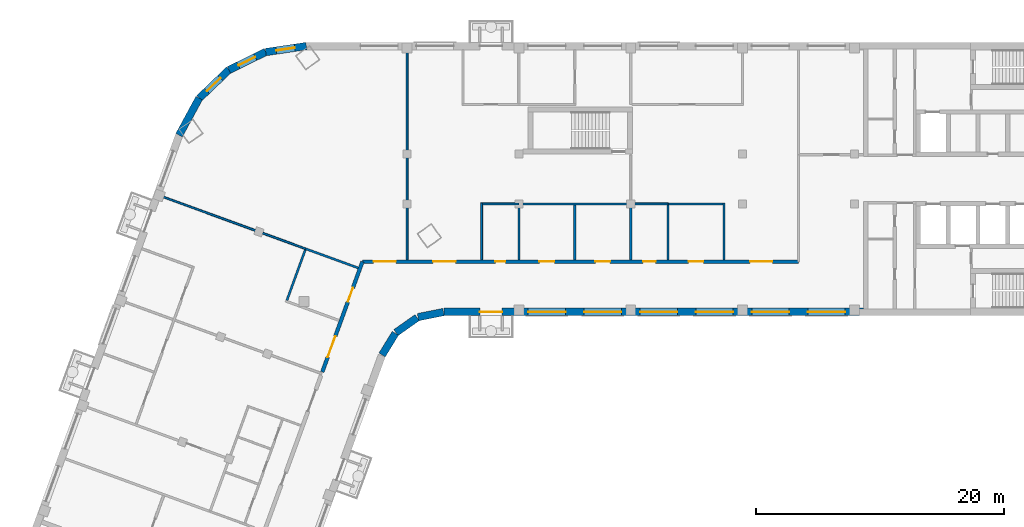
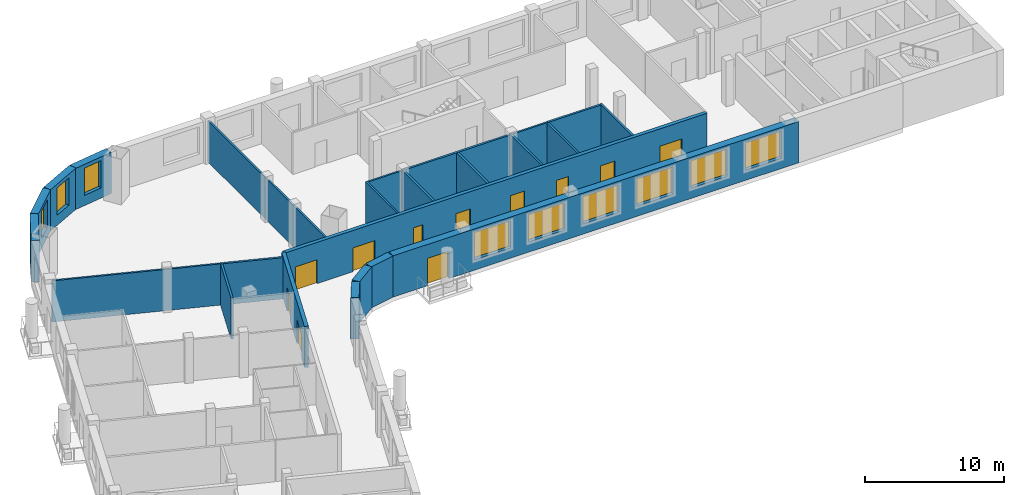
# One storey, part 4 of 10: 24 walls, 11 doors, 9 windows, 20 openings.
"""IFC4 building model written with IfcOpenShell, lengths in metres."""

from ifc_helpers import new_model, si_unit, direction, frame, frame_2d, origin, place, context, subcontext, project, spatial, rectangle, extrude, material, layer, layer_set, type_object, element, fill, save


model = new_model("IFC4")

# Units and contexts
model_context = context("Model", 3, precision=1e-05, world=origin(), true_north=direction((0.0, 1.0)))
body_context = subcontext(model_context, "Body", "Model", "MODEL_VIEW")
ifc_project = project(units=[si_unit("LENGTHUNIT", "METRE"), si_unit("AREAUNIT", "SQUARE_METRE"), si_unit("VOLUMEUNIT", "CUBIC_METRE"), si_unit("PLANEANGLEUNIT", "RADIAN"), si_unit("MASSUNIT", "GRAM", prefix="KILO")], contexts=[model_context])

# Site, building, storey
site_placement = place(None, origin())
site = spatial("IfcSite", under=ifc_project, at=site_placement, CompositionType="ELEMENT")
building_placement = place(site_placement, origin())
building = spatial("IfcBuilding", under=site, at=building_placement, Name="Skarvind Civic Tower", CompositionType="ELEMENT")
storey_placement = place(building_placement, frame((0.0, 0.0, 178.5)))
storey = spatial("IfcBuildingStorey", under=building, at=storey_placement, Name="L42", CompositionType="ELEMENT", Elevation=178.5)

# Walls
ifc_material_1 = material(Name="Acoustic gypsum board on steel studs", Category="steel")
ifc_layer_1 = layer(ifc_material_1, 0.175048828125)
ifc_layer_set_1 = layer_set([ifc_layer_1], Name="ACOUSTIC MEETING-ROOM PARTITION 175")
wall_type_1 = type_object("IfcWallType", Name="ACOUSTIC MEETING-ROOM PARTITION 175", PredefinedType="PARTITIONING", material=ifc_layer_set_1)
wall_1_placement = place(storey_placement, frame((46.053955078125, 122.301025390625, 0.0), z_axis=(0.0, 0.0, 1.0), x_axis=(-0.341915262023, -0.93973078783, 0.0)))
element("IfcWall", 1, at=wall_1_placement, inside=storey, type_object=wall_type_1, Name="Partition 42.023", PredefinedType="PARTITIONING", context=body_context, shape_type="SweptSolid", body=[
    extrude(rectangle(XDim=4.32568359375, YDim=0.175048828125, at=frame_2d((2.162841796875, 0.0))), origin(), (0.0, 0.0, 1.0), 3.625),
])
wall_2_placement = place(storey_placement, frame((50.31201171875, 120.843017578125, 0.0), z_axis=(0.0, 0.0, 1.0), x_axis=(-0.939609529273, 0.342248349154, 0.0)))
element("IfcWall", 2, at=wall_2_placement, inside=storey, type_object=wall_type_1, Name="Partition 42.025", PredefinedType="PARTITIONING", context=body_context, shape_type="SweptSolid", body=[
    extrude(rectangle(XDim=4.499755859375, YDim=0.175048828125, at=frame_2d((2.25, 0.0))), origin(), (0.0, 0.0, 1.0), 3.625),
])
wall_3_placement = place(storey_placement, frame((63.25, 121.5, 0.0), z_axis=(0.0, 0.0, 1.0), x_axis=(0.0, 1.0, 0.0)))
element("IfcWall", 3, at=wall_3_placement, inside=storey, type_object=wall_type_1, Name="Partition 42.031", PredefinedType="PARTITIONING", context=body_context, shape_type="SweptSolid", body=[
    extrude(rectangle(XDim=4.412109375, YDim=0.175048828125, at=frame_2d((2.2060546875, 0.0))), origin(), (0.0, 0.0, 1.0), 3.625),
])
wall_4_placement = place(storey_placement, frame((63.25, 126.0, 0.0), z_axis=(0.0, 0.0, 1.0), x_axis=(1.0, 0.0, 0.0)))
element("IfcWall", 4, at=wall_4_placement, inside=storey, type_object=wall_type_1, Name="Partition 42.033", PredefinedType="PARTITIONING", context=body_context, shape_type="SweptSolid", body=[
    extrude(rectangle(XDim=9.0, YDim=0.175048828125, at=frame_2d((4.5, 0.0))), origin(), (0.0, 0.0, 1.0), 3.625),
])
wall_5_placement = place(storey_placement, frame((67.75, 121.5, 0.0), z_axis=(0.0, 0.0, 1.0), x_axis=(0.0, 1.0, 0.0)))
element("IfcWall", 5, at=wall_5_placement, inside=storey, type_object=wall_type_1, Name="Partition 42.035", PredefinedType="PARTITIONING", context=body_context, shape_type="SweptSolid", body=[
    extrude(rectangle(XDim=4.412109375, YDim=0.175048828125, at=frame_2d((2.2060546875, 0.0))), origin(), (0.0, 0.0, 1.0), 3.625),
])
wall_6_placement = place(storey_placement, frame((72.25, 121.5, 0.0), z_axis=(0.0, 0.0, 1.0), x_axis=(0.0, 1.0, 0.0)))
element("IfcWall", 6, at=wall_6_placement, inside=storey, type_object=wall_type_1, Name="Partition 42.037", PredefinedType="PARTITIONING", context=body_context, shape_type="SweptSolid", body=[
    extrude(rectangle(XDim=4.5, YDim=0.175048828125, at=frame_2d((2.25, 0.0))), origin(), (0.0, 0.0, 1.0), 3.625),
])
wall_7_placement = place(storey_placement, frame((75.25, 125.912109375, 0.0), z_axis=(0.0, 0.0, 1.0), x_axis=(0.0, -1.0, 0.0)))
element("IfcWall", 7, at=wall_7_placement, inside=storey, type_object=wall_type_1, Name="Partition 42.042", PredefinedType="PARTITIONING", context=body_context, shape_type="SweptSolid", body=[
    extrude(rectangle(XDim=4.412109375, YDim=0.175048828125, at=frame_2d((2.2060546875, 0.0))), origin(), (0.0, 0.0, 1.0), 3.625),
])
wall_8_placement = place(storey_placement, frame((79.75, 121.5, 0.0), z_axis=(0.0, 0.0, 1.0), x_axis=(0.0, 1.0, 0.0)))
element("IfcWall", 8, at=wall_8_placement, inside=storey, type_object=wall_type_1, Name="Partition 42.043", PredefinedType="PARTITIONING", context=body_context, shape_type="SweptSolid", body=[
    extrude(rectangle(XDim=4.587890625, YDim=0.175048828125, at=frame_2d((2.2939453125, 0.0))), origin(), (0.0, 0.0, 1.0), 3.625),
])
wall_9_placement = place(storey_placement, frame((79.662109375, 126.0, 0.0), z_axis=(0.0, 0.0, 1.0), x_axis=(-1.0, 0.0, 0.0)))
element("IfcWall", 9, at=wall_9_placement, inside=storey, type_object=wall_type_1, Name="Partition 42.044", PredefinedType="PARTITIONING", context=body_context, shape_type="SweptSolid", body=[
    extrude(rectangle(XDim=4.412109375, YDim=0.175048828125, at=frame_2d((2.2060546875, 0.0))), origin(), (0.0, 0.0, 1.0), 3.625),
])

# Wall, openings, doors
ifc_material_2 = material(Name="Fire-rated gypsum board on steel studs", Category="steel")
ifc_layer_2 = layer(ifc_material_2, 0.300048828125)
ifc_layer_set_2 = layer_set([ifc_layer_2], Name="CORRIDOR WALL 300")
wall_type_2 = type_object("IfcWallType", Name="CORRIDOR WALL 300", PredefinedType="PARTITIONING", material=ifc_layer_set_2)
wall_10_placement = place(storey_placement, frame((47.425048828125, 112.472900390625, 0.0), z_axis=(0.0, 0.0, 1.0), x_axis=(0.34204602842, 0.939683198978, 0.0)))
wall_10 = element("IfcWall", 10, at=wall_10_placement, inside=storey, type_object=wall_type_2, Name="Partition 42.024", PredefinedType="PARTITIONING", context=body_context, shape_type="SweptSolid", body=[
    extrude(rectangle(XDim=9.446044921875, YDim=0.300048828125, at=frame_2d((4.72314453125, 0.0))), origin(), (0.0, 0.0, 1.0), 3.625),
])
opening_1_placement = place(wall_10_placement, frame((6.003173828125, 0.0, 0.0)))
opening_1 = element("IfcOpeningElement", 11, at=opening_1_placement, cuts=wall_10, Name="Opening L42-D020", PredefinedType="OPENING", context=body_context, shape_type="SweptSolid", body=[
    extrude(rectangle(XDim=1.199951171875, YDim=2.10009765625, at=frame_2d((0.60009765625, 1.050048828125))), frame((0.0, 0.159912109375, 0.0), z_axis=(0.0, -1.0, 0.0), x_axis=(1.0, 0.0, 0.0)), (0.0, 0.0, 1.0), 0.320068359375),
])
opening_2_placement = place(wall_10_placement, frame((1.2666015625, 0.0, 0.0)))
opening_2 = element("IfcOpeningElement", 12, at=opening_2_placement, cuts=wall_10, Name="Opening L42-D022", PredefinedType="OPENING", context=body_context, shape_type="SweptSolid", body=[
    extrude(rectangle(XDim=1.800048828125, YDim=2.10009765625, at=frame_2d((0.89990234375, 1.050048828125))), frame((0.0, 0.159912109375, 0.0), z_axis=(0.0, -1.0, 0.0), x_axis=(1.0, 0.0, 0.0)), (0.0, 0.0, 1.0), 0.320068359375),
])
ifc_material_3 = material(Name="Fire-rated timber door leaf", Category="wood")
door_type_1 = type_object("IfcDoorType", Name="FD4 1800x2100", OperationType="NOTDEFINED", PredefinedType="DOOR", material=ifc_material_3)
door_1_placement = place(opening_2_placement, origin())
door_1 = element("IfcDoor", 13, at=door_1_placement, inside=storey, type_object=door_type_1, Name="Door L42-D022", OperationType="DOUBLE_DOOR_SINGLE_SWING", OverallHeight=2.10009765625, OverallWidth=1.800048828125, PredefinedType="DOOR", context=body_context, shape_type="SweptSolid", body=[
    extrude(rectangle(XDim=1.800048828125, YDim=2.10009765625, at=frame_2d((0.89990234375, 1.050048828125))), frame((0.0, 0.02490234375, 0.0), z_axis=(0.0, -1.0, 0.0), x_axis=(1.0, 0.0, 0.0)), (0.0, 0.0, 1.0), 0.050048828125),
])
fill(opening_2, door_1)
door_type_2 = type_object("IfcDoorType", Name="FD6 1200x2100 DOUBLE", OperationType="NOTDEFINED", PredefinedType="DOOR", material=ifc_material_3)
door_2_placement = place(opening_1_placement, origin())
door_2 = element("IfcDoor", 14, at=door_2_placement, inside=storey, type_object=door_type_2, Name="Door L42-D020", OperationType="DOUBLE_DOOR_SINGLE_SWING", OverallHeight=2.10009765625, OverallWidth=1.199951171875, PredefinedType="DOOR", context=body_context, shape_type="SweptSolid", body=[
    extrude(rectangle(XDim=1.199951171875, YDim=2.10009765625, at=frame_2d((0.60009765625, 1.050048828125))), frame((0.0, 0.02490234375, 0.0), z_axis=(0.0, -1.0, 0.0), x_axis=(1.0, 0.0, 0.0)), (0.0, 0.0, 1.0), 0.050048828125),
])
fill(opening_1, door_2)

wall_11_placement = place(storey_placement, frame((50.656982421875, 121.35009765625, 0.0), z_axis=(0.0, 0.0, 1.0), x_axis=(1.0, 0.0, 0.0)))
wall_11 = element("IfcWall", 15, at=wall_11_placement, inside=storey, type_object=wall_type_2, Name="Partition 42.026", PredefinedType="PARTITIONING", context=body_context, shape_type="SweptSolid", body=[
    extrude(rectangle(XDim=35.095947265625, YDim=0.300048828125, at=frame_2d((17.5478515625, 0.0))), origin(), (0.0, 0.0, 1.0), 3.625),
])
opening_3_placement = place(wall_11_placement, frame((26.242919921875, 0.0, 0.0)))
opening_3 = element("IfcOpeningElement", 16, at=opening_3_placement, cuts=wall_11, Name="Opening L42-D002", PredefinedType="OPENING", context=body_context, shape_type="SweptSolid", body=[
    extrude(rectangle(XDim=1.199951171875, YDim=2.10009765625, at=frame_2d((0.60009765625, 1.050048828125))), frame((0.0, 0.159912109375, 0.0), z_axis=(0.0, -1.0, 0.0), x_axis=(1.0, 0.0, 0.0)), (0.0, 0.0, 1.0), 0.320068359375),
])
opening_4_placement = place(wall_11_placement, frame((22.593017578125, 0.0, 0.0)))
opening_4 = element("IfcOpeningElement", 17, at=opening_4_placement, cuts=wall_11, Name="Opening L42-D003", PredefinedType="OPENING", context=body_context, shape_type="SweptSolid", body=[
    extrude(rectangle(XDim=1.0, YDim=2.10009765625, at=frame_2d((0.5, 1.050048828125))), frame((0.0, 0.159912109375, 0.0), z_axis=(0.0, -1.0, 0.0), x_axis=(1.0, 0.0, 0.0)), (0.0, 0.0, 1.0), 0.320068359375),
])
opening_5_placement = place(wall_11_placement, frame((31.193115234375, 0.0, 0.0)))
opening_5 = element("IfcOpeningElement", 18, at=opening_5_placement, cuts=wall_11, Name="Opening L42-D005", PredefinedType="OPENING", context=body_context, shape_type="SweptSolid", body=[
    extrude(rectangle(XDim=1.800048828125, YDim=2.10009765625, at=frame_2d((0.89990234375, 1.050048828125))), frame((0.0, 0.159912109375, 0.0), z_axis=(0.0, -1.0, 0.0), x_axis=(1.0, 0.0, 0.0)), (0.0, 0.0, 1.0), 0.320068359375),
])
opening_6_placement = place(wall_11_placement, frame((18.742919921875, 0.0, 0.0)))
opening_6 = element("IfcOpeningElement", 19, at=opening_6_placement, cuts=wall_11, Name="Opening L42-D006", PredefinedType="OPENING", context=body_context, shape_type="SweptSolid", body=[
    extrude(rectangle(XDim=1.199951171875, YDim=2.10009765625, at=frame_2d((0.60009765625, 1.050048828125))), frame((0.0, 0.159912109375, 0.0), z_axis=(0.0, -1.0, 0.0), x_axis=(1.0, 0.0, 0.0)), (0.0, 0.0, 1.0), 0.320068359375),
])
opening_7_placement = place(wall_11_placement, frame((14.242919921875, 0.0, 0.0)))
opening_7 = element("IfcOpeningElement", 20, at=opening_7_placement, cuts=wall_11, Name="Opening L42-D007", PredefinedType="OPENING", context=body_context, shape_type="SweptSolid", body=[
    extrude(rectangle(XDim=1.199951171875, YDim=2.10009765625, at=frame_2d((0.60009765625, 1.050048828125))), frame((0.0, 0.159912109375, 0.0), z_axis=(0.0, -1.0, 0.0), x_axis=(1.0, 0.0, 0.0)), (0.0, 0.0, 1.0), 0.320068359375),
])
opening_8_placement = place(wall_11_placement, frame((10.693115234375, 0.0, 0.0)))
opening_8 = element("IfcOpeningElement", 21, at=opening_8_placement, cuts=wall_11, Name="Opening L42-D008", PredefinedType="OPENING", context=body_context, shape_type="SweptSolid", body=[
    extrude(rectangle(XDim=0.800048828125, YDim=2.10009765625, at=frame_2d((0.39990234375, 1.050048828125))), frame((0.0, 0.159912109375, 0.0), z_axis=(0.0, -1.0, 0.0), x_axis=(1.0, 0.0, 0.0)), (0.0, 0.0, 1.0), 0.320068359375),
])
opening_9_placement = place(wall_11_placement, frame((5.693115234375, 0.0, 0.0)))
opening_9 = element("IfcOpeningElement", 22, at=opening_9_placement, cuts=wall_11, Name="Opening L42-D011", PredefinedType="OPENING", context=body_context, shape_type="SweptSolid", body=[
    extrude(rectangle(XDim=1.800048828125, YDim=2.10009765625, at=frame_2d((0.89990234375, 1.050048828125))), frame((0.0, 0.159912109375, 0.0), z_axis=(0.0, -1.0, 0.0), x_axis=(1.0, 0.0, 0.0)), (0.0, 0.0, 1.0), 0.320068359375),
])
opening_10_placement = place(wall_11_placement, frame((0.89599609375, 0.0, 0.0)))
opening_10 = element("IfcOpeningElement", 23, at=opening_10_placement, cuts=wall_11, Name="Opening L42-D023", PredefinedType="OPENING", context=body_context, shape_type="SweptSolid", body=[
    extrude(rectangle(XDim=1.800048828125, YDim=2.10009765625, at=frame_2d((0.89990234375, 1.050048828125))), frame((0.0, 0.159912109375, 0.0), z_axis=(0.0, -1.0, 0.0), x_axis=(1.0, 0.0, 0.0)), (0.0, 0.0, 1.0), 0.320068359375),
])
door_type_3 = type_object("IfcDoorType", Name="FD1 1000x2100", OperationType="NOTDEFINED", PredefinedType="DOOR", material=ifc_material_3)
door_3_placement = place(opening_4_placement, origin())
door_3 = element("IfcDoor", 24, at=door_3_placement, inside=storey, type_object=door_type_3, Name="Door L42-D003", OperationType="SINGLE_SWING_LEFT", OverallHeight=2.10009765625, OverallWidth=1.0, PredefinedType="DOOR", context=body_context, shape_type="SweptSolid", body=[
    extrude(rectangle(XDim=1.0, YDim=2.10009765625, at=frame_2d((0.5, 1.050048828125))), frame((0.0, 0.02490234375, 0.0), z_axis=(0.0, -1.0, 0.0), x_axis=(1.0, 0.0, 0.0)), (0.0, 0.0, 1.0), 0.050048828125),
])
fill(opening_4, door_3)
door_4_placement = place(opening_5_placement, origin())
door_4 = element("IfcDoor", 25, at=door_4_placement, inside=storey, type_object=door_type_1, Name="Door L42-D005", OperationType="DOUBLE_DOOR_SINGLE_SWING", OverallHeight=2.10009765625, OverallWidth=1.800048828125, PredefinedType="DOOR", context=body_context, shape_type="SweptSolid", body=[
    extrude(rectangle(XDim=1.800048828125, YDim=2.10009765625, at=frame_2d((0.89990234375, 1.050048828125))), frame((0.0, 0.02490234375, 0.0), z_axis=(0.0, -1.0, 0.0), x_axis=(1.0, 0.0, 0.0)), (0.0, 0.0, 1.0), 0.050048828125),
])
fill(opening_5, door_4)
door_5_placement = place(opening_9_placement, origin())
door_5 = element("IfcDoor", 26, at=door_5_placement, inside=storey, type_object=door_type_1, Name="Door L42-D011", OperationType="DOUBLE_DOOR_SINGLE_SWING", OverallHeight=2.10009765625, OverallWidth=1.800048828125, PredefinedType="DOOR", context=body_context, shape_type="SweptSolid", body=[
    extrude(rectangle(XDim=1.800048828125, YDim=2.10009765625, at=frame_2d((0.89990234375, 1.050048828125))), frame((0.0, 0.02490234375, 0.0), z_axis=(0.0, -1.0, 0.0), x_axis=(1.0, 0.0, 0.0)), (0.0, 0.0, 1.0), 0.050048828125),
])
fill(opening_9, door_5)
door_6_placement = place(opening_10_placement, origin())
door_6 = element("IfcDoor", 27, at=door_6_placement, inside=storey, type_object=door_type_1, Name="Door L42-D023", OperationType="DOUBLE_DOOR_SINGLE_SWING", OverallHeight=2.10009765625, OverallWidth=1.800048828125, PredefinedType="DOOR", context=body_context, shape_type="SweptSolid", body=[
    extrude(rectangle(XDim=1.800048828125, YDim=2.10009765625, at=frame_2d((0.89990234375, 1.050048828125))), frame((0.0, 0.02490234375, 0.0), z_axis=(0.0, -1.0, 0.0), x_axis=(1.0, 0.0, 0.0)), (0.0, 0.0, 1.0), 0.050048828125),
])
fill(opening_10, door_6)
door_type_4 = type_object("IfcDoorType", Name="FD5 800x2100", OperationType="NOTDEFINED", PredefinedType="DOOR", material=ifc_material_3)
door_7_placement = place(opening_8_placement, origin())
door_7 = element("IfcDoor", 28, at=door_7_placement, inside=storey, type_object=door_type_4, Name="Door L42-D008", OperationType="SINGLE_SWING_LEFT", OverallHeight=2.10009765625, OverallWidth=0.800048828125, PredefinedType="DOOR", context=body_context, shape_type="SweptSolid", body=[
    extrude(rectangle(XDim=0.800048828125, YDim=2.10009765625, at=frame_2d((0.39990234375, 1.050048828125))), frame((0.0, 0.02490234375, 0.0), z_axis=(0.0, -1.0, 0.0), x_axis=(1.0, 0.0, 0.0)), (0.0, 0.0, 1.0), 0.050048828125),
])
fill(opening_8, door_7)
door_8_placement = place(opening_3_placement, origin())
door_8 = element("IfcDoor", 29, at=door_8_placement, inside=storey, type_object=door_type_2, Name="Door L42-D002", OperationType="DOUBLE_DOOR_SINGLE_SWING", OverallHeight=2.10009765625, OverallWidth=1.199951171875, PredefinedType="DOOR", context=body_context, shape_type="SweptSolid", body=[
    extrude(rectangle(XDim=1.199951171875, YDim=2.10009765625, at=frame_2d((0.60009765625, 1.050048828125))), frame((0.0, 0.02490234375, 0.0), z_axis=(0.0, -1.0, 0.0), x_axis=(1.0, 0.0, 0.0)), (0.0, 0.0, 1.0), 0.050048828125),
])
fill(opening_3, door_8)
door_9_placement = place(opening_6_placement, origin())
door_9 = element("IfcDoor", 30, at=door_9_placement, inside=storey, type_object=door_type_2, Name="Door L42-D006", OperationType="DOUBLE_DOOR_SINGLE_SWING", OverallHeight=2.10009765625, OverallWidth=1.199951171875, PredefinedType="DOOR", context=body_context, shape_type="SweptSolid", body=[
    extrude(rectangle(XDim=1.199951171875, YDim=2.10009765625, at=frame_2d((0.60009765625, 1.050048828125))), frame((0.0, 0.02490234375, 0.0), z_axis=(0.0, -1.0, 0.0), x_axis=(1.0, 0.0, 0.0)), (0.0, 0.0, 1.0), 0.050048828125),
])
fill(opening_6, door_9)
door_10_placement = place(opening_7_placement, origin())
door_10 = element("IfcDoor", 31, at=door_10_placement, inside=storey, type_object=door_type_2, Name="Door L42-D007", OperationType="DOUBLE_DOOR_SINGLE_SWING", OverallHeight=2.10009765625, OverallWidth=1.199951171875, PredefinedType="DOOR", context=body_context, shape_type="SweptSolid", body=[
    extrude(rectangle(XDim=1.199951171875, YDim=2.10009765625, at=frame_2d((0.60009765625, 1.050048828125))), frame((0.0, 0.02490234375, 0.0), z_axis=(0.0, -1.0, 0.0), x_axis=(1.0, 0.0, 0.0)), (0.0, 0.0, 1.0), 0.050048828125),
])
fill(opening_7, door_10)

# Walls
ifc_material_4 = material(Name="Plasterboard partition on steel studs", Category="steel")
ifc_layer_3 = layer(ifc_material_4, 0.14990234375)
ifc_layer_set_3 = layer_set([ifc_layer_3], Name="PARTITION 150")
wall_type_3 = type_object("IfcWallType", Name="PARTITION 150", PredefinedType="PARTITIONING", material=ifc_layer_set_3)
wall_12_placement = place(storey_placement, frame((46.083984375, 122.383056640625, 0.0), z_axis=(0.0, 0.0, 1.0), x_axis=(-0.939703144457, 0.341991228392, 0.0)))
element("IfcWall", 32, at=wall_12_placement, inside=storey, type_object=wall_type_3, Name="Partition 42.022", PredefinedType="PARTITIONING", context=body_context, shape_type="SweptSolid", body=[
    extrude(rectangle(XDim=12.40087890625, YDim=0.14990234375, at=frame_2d((6.200439453125, 0.0))), origin(), (0.0, 0.0, 1.0), 3.625),
])
wall_13_placement = place(storey_placement, frame((54.25, 138.39990234375, 0.0), z_axis=(0.0, 0.0, 1.0), x_axis=(0.0, -1.0, 0.0)))
element("IfcWall", 33, at=wall_13_placement, inside=storey, type_object=wall_type_3, Name="Partition 42.027", PredefinedType="PARTITIONING", context=body_context, shape_type="SweptSolid", body=[
    extrude(rectangle(XDim=16.89990234375, YDim=0.14990234375, at=frame_2d((8.449951171875, 0.0))), origin(), (0.0, 0.0, 1.0), 3.625),
])
wall_14_placement = place(storey_placement, frame((60.25, 126.074951171875, 0.0), z_axis=(0.0, 0.0, 1.0), x_axis=(0.0, -1.0, 0.0)))
element("IfcWall", 34, at=wall_14_placement, inside=storey, type_object=wall_type_3, Name="Partition 42.030", PredefinedType="PARTITIONING", context=body_context, shape_type="SweptSolid", body=[
    extrude(rectangle(XDim=4.574951171875, YDim=0.14990234375, at=frame_2d((2.28759765625, 0.0))), origin(), (0.0, 0.0, 1.0), 3.625),
])
wall_15_placement = place(storey_placement, frame((63.25, 126.0, 0.0), z_axis=(0.0, 0.0, 1.0), x_axis=(-1.0, 0.0, 0.0)))
element("IfcWall", 35, at=wall_15_placement, inside=storey, type_object=wall_type_3, Name="Partition 42.032", PredefinedType="PARTITIONING", context=body_context, shape_type="SweptSolid", body=[
    extrude(rectangle(XDim=2.925048828125, YDim=0.14990234375, at=frame_2d((1.46240234375, 0.0))), origin(), (0.0, 0.0, 1.0), 3.625),
])
wall_16_placement = place(storey_placement, frame((75.25, 126.0, 0.0), z_axis=(0.0, 0.0, 1.0), x_axis=(-1.0, 0.0, 0.0)))
element("IfcWall", 36, at=wall_16_placement, inside=storey, type_object=wall_type_3, Name="Partition 42.041", PredefinedType="PARTITIONING", context=body_context, shape_type="SweptSolid", body=[
    extrude(rectangle(XDim=3.0, YDim=0.14990234375, at=frame_2d((1.5, 0.0))), origin(), (0.0, 0.0, 1.0), 3.625),
])
ifc_material_5 = material(Name="Limestone masonry cladding on insulated backing", Category="masonry")
ifc_layer_4 = layer(ifc_material_5, 0.60009765625)
ifc_layer_set_4 = layer_set([ifc_layer_4], Name="WX1 STONE FACADE WALL 600")
wall_type_4 = type_object("IfcWallType", Name="WX1 STONE FACADE WALL 600", PredefinedType="SOLIDWALL", material=ifc_layer_set_4)
wall_17_placement = place(storey_placement, frame((53.30517578125, 115.578369140625, 0.0), z_axis=(0.0, 0.0, 1.0), x_axis=(-0.522402266438, -0.852699168535, 0.0)))
element("IfcWall", 37, at=wall_17_placement, inside=storey, type_object=wall_type_4, Name="STONE FACADE WALL", PredefinedType="SOLIDWALL", context=body_context, shape_type="SweptSolid", body=[
    extrude(rectangle(XDim=2.042236328125, YDim=0.60009765625, at=frame_2d((1.02099609375, 0.0))), origin(), (0.0, 0.0, 1.0), 3.625),
])
for number, where, z_axis, x_axis, name in (
    (38, (55.061767578125, 116.8388671875, 0.0), (0.0, 0.0, 1.0), (-0.819122269495, -0.573618956815, 0.0), "STONE FACADE WALL"),
    (39, (57.17529296875, 117.2939453125, 0.0), (0.0, 0.0, 1.0), (-0.97996099083, -0.19918949885, 0.0), "STONE FACADE WALL"),
):
    element("IfcWall", number, at=place(storey_placement, frame(where, z_axis=z_axis, x_axis=x_axis)), inside=storey, type_object=wall_type_4, Name=name, PredefinedType="SOLIDWALL", context=body_context, shape_type="SweptSolid", body=[
        extrude(rectangle(XDim=2.09228515625, YDim=0.60009765625, at=frame_2d((1.046142578125, 0.0))), origin(), (0.0, 0.0, 1.0), 3.625),
    ])

# Wall, openings, door, windows
wall_18_placement = place(storey_placement, frame((90.97998046875, 117.300048828125, 0.0), z_axis=(0.0, 0.0, 1.0), x_axis=(-1.0, 0.0, 0.0)))
wall_18 = element("IfcWall", 40, at=wall_18_placement, inside=storey, type_object=wall_type_4, Name="STONE FACADE WALL", PredefinedType="SOLIDWALL", context=body_context, shape_type="SweptSolid", body=[
    extrude(rectangle(XDim=33.744873046875, YDim=0.60009765625, at=frame_2d((16.87255859375, 0.0))), origin(), (0.0, 0.0, 1.0), 3.625),
])
opening_11_placement = place(wall_18_placement, frame((1.47998046875, 0.0, 0.89990234375)))
opening_11 = element("IfcOpeningElement", 41, at=opening_11_placement, cuts=wall_18, Name="Opening WN1", PredefinedType="OPENING", context=body_context, shape_type="SweptSolid", body=[
    extrude(rectangle(XDim=3.0, YDim=2.39990234375, at=frame_2d((1.5, 1.199951171875))), frame((0.0, 0.31005859375, 0.0), z_axis=(0.0, -1.0, 0.0), x_axis=(1.0, 0.0, 0.0)), (0.0, 0.0, 1.0), 0.6201171875),
])
opening_12_placement = place(wall_18_placement, frame((5.97998046875, 0.0, 0.89990234375)))
opening_12 = element("IfcOpeningElement", 42, at=opening_12_placement, cuts=wall_18, Name="Opening WN1", PredefinedType="OPENING", context=body_context, shape_type="SweptSolid", body=[
    extrude(rectangle(XDim=3.0, YDim=2.39990234375, at=frame_2d((1.5, 1.199951171875))), frame((0.0, 0.31005859375, 0.0), z_axis=(0.0, -1.0, 0.0), x_axis=(1.0, 0.0, 0.0)), (0.0, 0.0, 1.0), 0.6201171875),
])
opening_13_placement = place(wall_18_placement, frame((10.47998046875, 0.0, 0.89990234375)))
opening_13 = element("IfcOpeningElement", 43, at=opening_13_placement, cuts=wall_18, Name="Opening WN1", PredefinedType="OPENING", context=body_context, shape_type="SweptSolid", body=[
    extrude(rectangle(XDim=3.0, YDim=2.39990234375, at=frame_2d((1.5, 1.199951171875))), frame((0.0, 0.31005859375, 0.0), z_axis=(0.0, -1.0, 0.0), x_axis=(1.0, 0.0, 0.0)), (0.0, 0.0, 1.0), 0.6201171875),
])
opening_14_placement = place(wall_18_placement, frame((14.97998046875, 0.0, 0.89990234375)))
opening_14 = element("IfcOpeningElement", 44, at=opening_14_placement, cuts=wall_18, Name="Opening WN1", PredefinedType="OPENING", context=body_context, shape_type="SweptSolid", body=[
    extrude(rectangle(XDim=3.0, YDim=2.39990234375, at=frame_2d((1.5, 1.199951171875))), frame((0.0, 0.31005859375, 0.0), z_axis=(0.0, -1.0, 0.0), x_axis=(1.0, 0.0, 0.0)), (0.0, 0.0, 1.0), 0.6201171875),
])
opening_15_placement = place(wall_18_placement, frame((19.47998046875, 0.0, 0.89990234375)))
opening_15 = element("IfcOpeningElement", 45, at=opening_15_placement, cuts=wall_18, Name="Opening WN1", PredefinedType="OPENING", context=body_context, shape_type="SweptSolid", body=[
    extrude(rectangle(XDim=3.0, YDim=2.39990234375, at=frame_2d((1.5, 1.199951171875))), frame((0.0, 0.31005859375, 0.0), z_axis=(0.0, -1.0, 0.0), x_axis=(1.0, 0.0, 0.0)), (0.0, 0.0, 1.0), 0.6201171875),
])
opening_16_placement = place(wall_18_placement, frame((23.97998046875, 0.0, 0.89990234375)))
opening_16 = element("IfcOpeningElement", 46, at=opening_16_placement, cuts=wall_18, Name="Opening WN1", PredefinedType="OPENING", context=body_context, shape_type="SweptSolid", body=[
    extrude(rectangle(XDim=3.0, YDim=2.39990234375, at=frame_2d((1.5, 1.199951171875))), frame((0.0, 0.31005859375, 0.0), z_axis=(0.0, -1.0, 0.0), x_axis=(1.0, 0.0, 0.0)), (0.0, 0.0, 1.0), 0.6201171875),
])
opening_17_placement = place(wall_18_placement, frame((29.080078125, 0.0, 0.0)))
opening_17 = element("IfcOpeningElement", 47, at=opening_17_placement, cuts=wall_18, Name="Opening DX3", PredefinedType="OPENING", context=body_context, shape_type="SweptSolid", body=[
    extrude(rectangle(XDim=1.800048828125, YDim=2.39990234375, at=frame_2d((0.89990234375, 1.199951171875))), frame((0.0, 0.31005859375, 0.0), z_axis=(0.0, -1.0, 0.0), x_axis=(1.0, 0.0, 0.0)), (0.0, 0.0, 1.0), 0.6201171875),
])
ifc_material_6 = material(Name="Timber and glass doorset", Category="wood")
door_type_5 = type_object("IfcDoorType", Name="DX3 TERRACE DOORS 1800 x 2400", OperationType="NOTDEFINED", PredefinedType="DOOR", material=ifc_material_6)
door_11_placement = place(opening_17_placement, origin())
door_11 = element("IfcDoor", 48, at=door_11_placement, inside=storey, type_object=door_type_5, Name="TERRACE DOORS", OperationType="DOUBLE_DOOR_SINGLE_SWING", OverallHeight=2.39990234375, OverallWidth=1.800048828125, PredefinedType="DOOR", context=body_context, shape_type="SweptSolid", body=[
    extrude(rectangle(XDim=1.800048828125, YDim=2.39990234375, at=frame_2d((0.89990234375, 1.199951171875))), frame((0.0, 0.02490234375, 0.0), z_axis=(0.0, -1.0, 0.0), x_axis=(1.0, 0.0, 0.0)), (0.0, 0.0, 1.0), 0.050048828125),
])
fill(opening_17, door_11)
ifc_material_7 = material(Name="Timber frame, double glazing, timber-lined reveal", Category="wood")
window_type_1 = type_object("IfcWindowType", Name="WN1 PUNCHED STONE WINDOW 3000 x 2400", PartitioningType="SINGLE_PANEL", PredefinedType="WINDOW", material=ifc_material_7)
window_1_placement = place(opening_11_placement, origin())
window_1 = element("IfcWindow", 49, at=window_1_placement, inside=storey, type_object=window_type_1, Name="WN1 WINDOW", OverallHeight=2.39990234375, OverallWidth=3.0, PartitioningType="SINGLE_PANEL", PredefinedType="WINDOW", context=body_context, shape_type="SweptSolid", body=[
    extrude(rectangle(XDim=3.0, YDim=2.39990234375, at=frame_2d((1.5, 1.199951171875))), frame((0.0, 0.030029296875, 0.0), z_axis=(0.0, -1.0, 0.0), x_axis=(1.0, 0.0, 0.0)), (0.0, 0.0, 1.0), 0.06005859375),
])
fill(opening_11, window_1)
window_2_placement = place(opening_12_placement, origin())
window_2 = element("IfcWindow", 50, at=window_2_placement, inside=storey, type_object=window_type_1, Name="WN1 WINDOW", OverallHeight=2.39990234375, OverallWidth=3.0, PartitioningType="SINGLE_PANEL", PredefinedType="WINDOW", context=body_context, shape_type="SweptSolid", body=[
    extrude(rectangle(XDim=3.0, YDim=2.39990234375, at=frame_2d((1.5, 1.199951171875))), frame((0.0, 0.030029296875, 0.0), z_axis=(0.0, -1.0, 0.0), x_axis=(1.0, 0.0, 0.0)), (0.0, 0.0, 1.0), 0.06005859375),
])
fill(opening_12, window_2)
window_3_placement = place(opening_13_placement, origin())
window_3 = element("IfcWindow", 51, at=window_3_placement, inside=storey, type_object=window_type_1, Name="WN1 WINDOW", OverallHeight=2.39990234375, OverallWidth=3.0, PartitioningType="SINGLE_PANEL", PredefinedType="WINDOW", context=body_context, shape_type="SweptSolid", body=[
    extrude(rectangle(XDim=3.0, YDim=2.39990234375, at=frame_2d((1.5, 1.199951171875))), frame((0.0, 0.030029296875, 0.0), z_axis=(0.0, -1.0, 0.0), x_axis=(1.0, 0.0, 0.0)), (0.0, 0.0, 1.0), 0.06005859375),
])
fill(opening_13, window_3)
window_4_placement = place(opening_14_placement, origin())
window_4 = element("IfcWindow", 52, at=window_4_placement, inside=storey, type_object=window_type_1, Name="WN1 WINDOW", OverallHeight=2.39990234375, OverallWidth=3.0, PartitioningType="SINGLE_PANEL", PredefinedType="WINDOW", context=body_context, shape_type="SweptSolid", body=[
    extrude(rectangle(XDim=3.0, YDim=2.39990234375, at=frame_2d((1.5, 1.199951171875))), frame((0.0, 0.030029296875, 0.0), z_axis=(0.0, -1.0, 0.0), x_axis=(1.0, 0.0, 0.0)), (0.0, 0.0, 1.0), 0.06005859375),
])
fill(opening_14, window_4)
window_5_placement = place(opening_15_placement, origin())
window_5 = element("IfcWindow", 53, at=window_5_placement, inside=storey, type_object=window_type_1, Name="WN1 WINDOW", OverallHeight=2.39990234375, OverallWidth=3.0, PartitioningType="SINGLE_PANEL", PredefinedType="WINDOW", context=body_context, shape_type="SweptSolid", body=[
    extrude(rectangle(XDim=3.0, YDim=2.39990234375, at=frame_2d((1.5, 1.199951171875))), frame((0.0, 0.030029296875, 0.0), z_axis=(0.0, -1.0, 0.0), x_axis=(1.0, 0.0, 0.0)), (0.0, 0.0, 1.0), 0.06005859375),
])
fill(opening_15, window_5)
window_6_placement = place(opening_16_placement, origin())
window_6 = element("IfcWindow", 54, at=window_6_placement, inside=storey, type_object=window_type_1, Name="WN1 WINDOW", OverallHeight=2.39990234375, OverallWidth=3.0, PartitioningType="SINGLE_PANEL", PredefinedType="WINDOW", context=body_context, shape_type="SweptSolid", body=[
    extrude(rectangle(XDim=3.0, YDim=2.39990234375, at=frame_2d((1.5, 1.199951171875))), frame((0.0, 0.030029296875, 0.0), z_axis=(0.0, -1.0, 0.0), x_axis=(1.0, 0.0, 0.0)), (0.0, 0.0, 1.0), 0.06005859375),
])
fill(opening_16, window_6)

# Wall, opening, window
wall_19_placement = place(storey_placement, frame((42.872802734375, 138.21728515625, 0.0), z_axis=(0.0, 0.0, 1.0), x_axis=(0.989110792192, 0.14717282619, 0.0)))
wall_19 = element("IfcWall", 55, at=wall_19_placement, inside=storey, type_object=wall_type_4, Name="STONE FACADE WALL", PredefinedType="SOLIDWALL", context=body_context, shape_type="SweptSolid", body=[
    extrude(rectangle(XDim=3.302734375, YDim=0.60009765625, at=frame_2d((1.6513671875, 0.0))), origin(), (0.0, 0.0, 1.0), 3.625),
])
opening_18_placement = place(wall_19_placement, frame((0.8564453125, 0.0, 0.89990234375)))
opening_18 = element("IfcOpeningElement", 56, at=opening_18_placement, cuts=wall_19, Name="Opening WN8", PredefinedType="OPENING", context=body_context, shape_type="SweptSolid", body=[
    extrude(rectangle(XDim=1.5, YDim=2.39990234375, at=frame_2d((0.75, 1.199951171875))), frame((0.0, 0.31005859375, 0.0), z_axis=(0.0, -1.0, 0.0), x_axis=(1.0, 0.0, 0.0)), (0.0, 0.0, 1.0), 0.6201171875),
])
window_type_2 = type_object("IfcWindowType", Name="WN8 ARC BAY WINDOW 1500 x 2400", PartitioningType="SINGLE_PANEL", PredefinedType="WINDOW", material=ifc_material_7)
window_7_placement = place(opening_18_placement, origin())
window_7 = element("IfcWindow", 57, at=window_7_placement, inside=storey, type_object=window_type_2, Name="WN8 WINDOW", OverallHeight=2.39990234375, OverallWidth=1.5, PartitioningType="SINGLE_PANEL", PredefinedType="WINDOW", context=body_context, shape_type="SweptSolid", body=[
    extrude(rectangle(XDim=1.5, YDim=2.39990234375, at=frame_2d((0.75, 1.199951171875))), frame((0.0, 0.030029296875, 0.0), z_axis=(0.0, -1.0, 0.0), x_axis=(1.0, 0.0, 0.0)), (0.0, 0.0, 1.0), 0.06005859375),
])
fill(opening_18, window_7)

wall_20_placement = place(storey_placement, frame((39.9072265625, 136.77587890625, 0.0), z_axis=(0.0, 0.0, 1.0), x_axis=(0.89761231107, 0.440785819889, 0.0)))
wall_20 = element("IfcWall", 58, at=wall_20_placement, inside=storey, type_object=wall_type_4, Name="STONE FACADE WALL", PredefinedType="SOLIDWALL", context=body_context, shape_type="SweptSolid", body=[
    extrude(rectangle(XDim=3.302734375, YDim=0.60009765625, at=frame_2d((1.6513671875, 0.0))), origin(), (0.0, 0.0, 1.0), 3.625),
])
opening_19_placement = place(wall_20_placement, frame((0.8564453125, 0.0, 0.89990234375)))
opening_19 = element("IfcOpeningElement", 59, at=opening_19_placement, cuts=wall_20, Name="Opening WN8", PredefinedType="OPENING", context=body_context, shape_type="SweptSolid", body=[
    extrude(rectangle(XDim=1.5, YDim=2.39990234375, at=frame_2d((0.75, 1.199951171875))), frame((0.0, 0.31005859375, 0.0), z_axis=(0.0, -1.0, 0.0), x_axis=(1.0, 0.0, 0.0)), (0.0, 0.0, 1.0), 0.6201171875),
])
window_8_placement = place(opening_19_placement, origin())
window_8 = element("IfcWindow", 60, at=window_8_placement, inside=storey, type_object=window_type_2, Name="WN8 WINDOW", OverallHeight=2.39990234375, OverallWidth=1.5, PartitioningType="SINGLE_PANEL", PredefinedType="WINDOW", context=body_context, shape_type="SweptSolid", body=[
    extrude(rectangle(XDim=1.5, YDim=2.39990234375, at=frame_2d((0.75, 1.199951171875))), frame((0.0, 0.030029296875, 0.0), z_axis=(0.0, -1.0, 0.0), x_axis=(1.0, 0.0, 0.0)), (0.0, 0.0, 1.0), 0.06005859375),
])
fill(opening_19, window_8)

wall_21_placement = place(storey_placement, frame((37.520263671875, 134.501220703125, 0.0), z_axis=(0.0, 0.0, 1.0), x_axis=(0.72115684486, 0.692771827596, 0.0)))
wall_21 = element("IfcWall", 61, at=wall_21_placement, inside=storey, type_object=wall_type_4, Name="STONE FACADE WALL", PredefinedType="SOLIDWALL", context=body_context, shape_type="SweptSolid", body=[
    extrude(rectangle(XDim=3.302734375, YDim=0.60009765625, at=frame_2d((1.6513671875, 0.0))), origin(), (0.0, 0.0, 1.0), 3.625),
])
opening_20_placement = place(wall_21_placement, frame((0.8564453125, 0.0, 0.89990234375)))
opening_20 = element("IfcOpeningElement", 62, at=opening_20_placement, cuts=wall_21, Name="Opening WN8", PredefinedType="OPENING", context=body_context, shape_type="SweptSolid", body=[
    extrude(rectangle(XDim=1.5, YDim=2.39990234375, at=frame_2d((0.75, 1.199951171875))), frame((0.0, 0.31005859375, 0.0), z_axis=(0.0, -1.0, 0.0), x_axis=(1.0, 0.0, 0.0)), (0.0, 0.0, 1.0), 0.6201171875),
])
window_9_placement = place(opening_20_placement, origin())
window_9 = element("IfcWindow", 63, at=window_9_placement, inside=storey, type_object=window_type_2, Name="WN8 WINDOW", OverallHeight=2.39990234375, OverallWidth=1.5, PartitioningType="SINGLE_PANEL", PredefinedType="WINDOW", context=body_context, shape_type="SweptSolid", body=[
    extrude(rectangle(XDim=1.5, YDim=2.39990234375, at=frame_2d((0.75, 1.199951171875))), frame((0.0, 0.030029296875, 0.0), z_axis=(0.0, -1.0, 0.0), x_axis=(1.0, 0.0, 0.0)), (0.0, 0.0, 1.0), 0.06005859375),
])
fill(opening_20, window_9)

# Wall
wall_22_placement = place(storey_placement, frame((35.89453125, 131.529541015625, 0.0), z_axis=(0.0, 0.0, 1.0), x_axis=(0.476531180538, 0.879157570618, 0.0)))
element("IfcWall", 64, at=wall_22_placement, inside=storey, type_object=wall_type_4, Name="STONE FACADE WALL", PredefinedType="SOLIDWALL", context=body_context, shape_type="SweptSolid", body=[
    extrude(rectangle(XDim=3.392578125, YDim=0.60009765625, at=frame_2d((1.6962890625, 0.0))), origin(), (0.0, 0.0, 1.0), 3.625),
])

save(model, "model.ifc")
